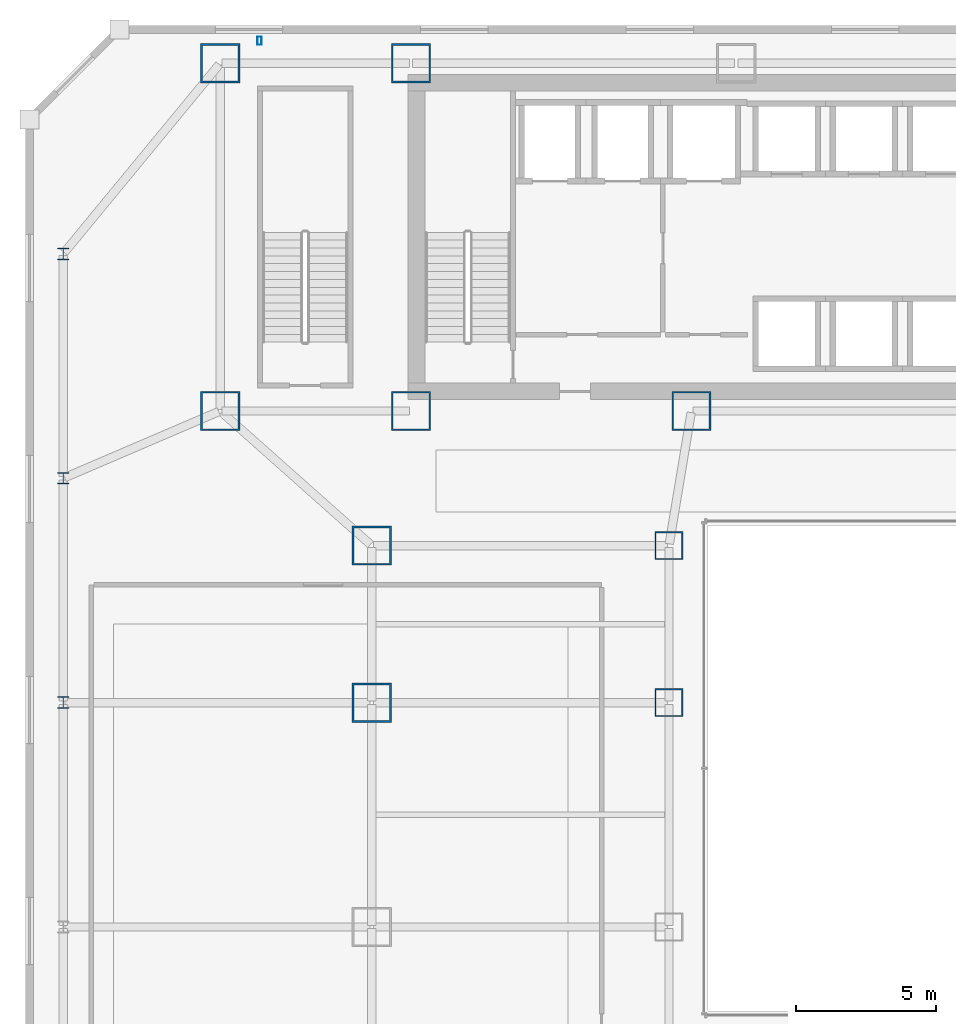
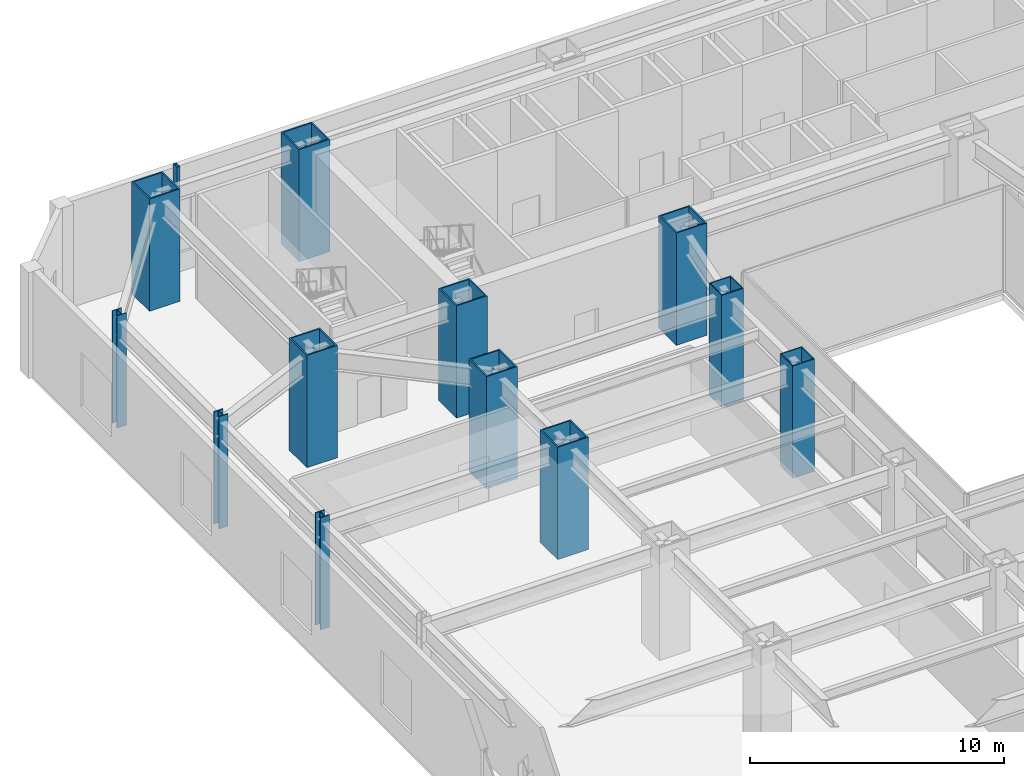
# One storey, part 3 of 52: 13 columns.
"""IFC4 building model written with IfcOpenShell, lengths in metres."""

from ifc_helpers import new_model, si_unit, direction, frame, origin, origin_2d, place, context, subcontext, project, spatial, hollow_rectangle, i_section, extrude, material, material_profile, profile_set, type_object, element, save


model = new_model("IFC4")

# Units and contexts
model_context = context("Model", 3, precision=1e-05, world=origin(), true_north=direction((0.0, 1.0)))
body_context = subcontext(model_context, "Body", "Model", "MODEL_VIEW")
ifc_project = project(units=[si_unit("LENGTHUNIT", "METRE"), si_unit("AREAUNIT", "SQUARE_METRE"), si_unit("VOLUMEUNIT", "CUBIC_METRE"), si_unit("PLANEANGLEUNIT", "RADIAN"), si_unit("MASSUNIT", "GRAM", prefix="KILO")], contexts=[model_context])

# Site, building, storey
site_placement = place(None, origin())
site = spatial("IfcSite", under=ifc_project, at=site_placement, CompositionType="ELEMENT")
building_placement = place(site_placement, origin())
building = spatial("IfcBuilding", under=site, at=building_placement, Name="Saevonmaru Cultural Tower", CompositionType="ELEMENT")
storey_placement = place(building_placement, frame((0.0, 0.0, 11.39990234375)))
storey = spatial("IfcBuildingStorey", under=building, at=storey_placement, Name="L02", CompositionType="ELEMENT", Elevation=11.39990234375)

# Columns
ifc_material_1 = material(Name="Steel SM420", Category="steel")
ifc_material_profile_1 = material_profile(ifc_material_1, hollow_rectangle(XDim=1.0, YDim=1.0, WallThickness=0.044921875, at=origin_2d()), Name="BOX-1000x1000x45")
ifc_profile_set_1 = profile_set([ifc_material_profile_1], Name="Steel SM420")
column_type_1 = type_object("IfcColumnType", Name="COL-BOX-1000", PredefinedType="COLUMN", material=ifc_profile_set_1)
for number, where, z_axis, x_axis, name in (
    (1, (22.800048828125, 32.0, 0.0), (0.0, 0.0, 1.0), (1.0, 0.0, 0.0), "L02 Column PC-W2-E"),
    (2, (22.800048828125, 37.60009765625, 0.0), (0.0, 0.0, 1.0), (1.0, 0.0, 0.0), "L02 Column PC-W2-F"),
):
    element("IfcColumn", number, at=place(storey_placement, frame(where, z_axis=z_axis, x_axis=x_axis)), inside=storey, type_object=column_type_1, Name=name, PredefinedType="COLUMN", context=body_context, shape_type="SweptSolid", body=[
        extrude(hollow_rectangle(XDim=1.0, YDim=1.0, WallThickness=0.044921875, at=origin_2d()), origin(), (0.0, 0.0, 1.0), 5.400146484375),
    ])
ifc_material_2 = material(Name="Steel HSA600 (600 MPa)", Category="steel")
ifc_material_profile_2 = material_profile(ifc_material_2, hollow_rectangle(XDim=1.39990234375, YDim=1.39990234375, WallThickness=0.06494140625, at=origin_2d()), Name="BOX-1400x1400x65")
ifc_profile_set_2 = profile_set([ifc_material_profile_2], Name="Steel HSA600 (600 MPa)")
column_type_2 = type_object("IfcColumnType", Name="COL-BOX-1400", PredefinedType="COLUMN", material=ifc_profile_set_2)
for number, where, z_axis, x_axis, name in (
    (3, (6.800048828125, 54.800048828125, 0.0), (0.0, 0.0, 1.0), (1.0, 0.0, 0.0), "L02 Column TC-N1N"),
    (4, (13.60009765625, 54.800048828125, 0.0), (0.0, 0.0, 1.0), (1.0, 0.0, 0.0), "L02 Column TC-N2N"),
    (5, (6.800048828125, 42.39990234375, 0.0), (0.0, 0.0, 1.0), (1.0, 0.0, 0.0), "L02 Column TC-S1C"),
    (6, (13.60009765625, 42.39990234375, 0.0), (0.0, 0.0, 1.0), (1.0, 0.0, 0.0), "L02 Column TC-S2C"),
    (7, (23.60009765625, 42.39990234375, 0.0), (0.0, 0.0, 1.0), (1.0, 0.0, 0.0), "L02 Column TC-S3C"),
    (8, (12.199951171875, 32.0, 0.0), (0.0, 0.0, 1.0), (1.0, 0.0, 0.0), "L02 Column PC-W1-E"),
    (9, (12.199951171875, 37.60009765625, 0.0), (0.0, 0.0, 1.0), (1.0, 0.0, 0.0), "L02 Column PC-W1-F"),
):
    element("IfcColumn", number, at=place(storey_placement, frame(where, z_axis=z_axis, x_axis=x_axis)), inside=storey, type_object=column_type_2, Name=name, PredefinedType="COLUMN", context=body_context, shape_type="SweptSolid", body=[
        extrude(hollow_rectangle(XDim=1.39990234375, YDim=1.39990234375, WallThickness=0.06494140625, at=origin_2d()), origin(), (0.0, 0.0, 1.0), 5.400146484375),
    ])
ifc_material_profile_3 = material_profile(ifc_material_1, i_section(OverallWidth=0.419921875, OverallDepth=0.419921875, WebThickness=0.02001953125, FlangeThickness=0.034912109375, FilletRadius=0.02197265625, at=origin_2d()), Name="H-428x407x20x35")
ifc_profile_set_3 = profile_set([ifc_material_profile_3], Name="Steel SM420")
column_type_3 = type_object("IfcColumnType", Name="COL-H-428", PredefinedType="COLUMN", material=ifc_profile_set_3)
for number, where, z_axis, x_axis, name in (
    (10, (1.199951171875, 32.0, 0.0), (0.0, 0.0, 1.0), (1.0, 0.0, 0.0), "L02 Column PC-PW-E"),
    (11, (1.199951171875, 40.0, 0.0), (0.0, 0.0, 1.0), (1.0, 0.0, 0.0), "L02 Column PC-PW-F"),
    (12, (1.199951171875, 48.0, 0.0), (0.0, 0.0, 1.0), (1.0, 0.0, 0.0), "L02 Column PC-PW-G"),
):
    element("IfcColumn", number, at=place(storey_placement, frame(where, z_axis=z_axis, x_axis=x_axis)), inside=storey, type_object=column_type_3, Name=name, PredefinedType="COLUMN", context=body_context, shape_type="SweptSolid", body=[
        extrude(i_section(OverallWidth=0.419921875, OverallDepth=0.419921875, WebThickness=0.02001953125, FlangeThickness=0.034912109375, FilletRadius=0.02197265625, at=origin_2d()), origin(), (0.0, 0.0, 1.0), 5.400146484375),
    ])
ifc_material_3 = material(Name="Steel SM355", Category="steel")
ifc_material_profile_4 = material_profile(ifc_material_3, hollow_rectangle(XDim=0.14990234375, YDim=0.300048828125, WallThickness=0.010009765625, at=origin_2d()), Name="RHS-300x150x10")
ifc_profile_set_4 = profile_set([ifc_material_profile_4], Name="Steel SM355")
column_type_4 = type_object("IfcColumnType", Name="PIL-RHS-300", PredefinedType="PILASTER", material=ifc_profile_set_4)
column_placement = place(storey_placement, frame((8.199951171875, 55.60009765625, 0.0), z_axis=(0.0, 0.0, 1.0), x_axis=(1.0, 0.0, 0.0)))
element("IfcColumn", 13, at=column_placement, inside=storey, type_object=column_type_4, Name="L02 Art Deco Bronze-Clad Pilaster PIL-NW", PredefinedType="PILASTER", context=body_context, shape_type="SweptSolid", body=[
    extrude(hollow_rectangle(XDim=0.14990234375, YDim=0.300048828125, WallThickness=0.010009765625, at=origin_2d()), origin(), (0.0, 0.0, 1.0), 5.400146484375),
])

save(model, "model.ifc")
